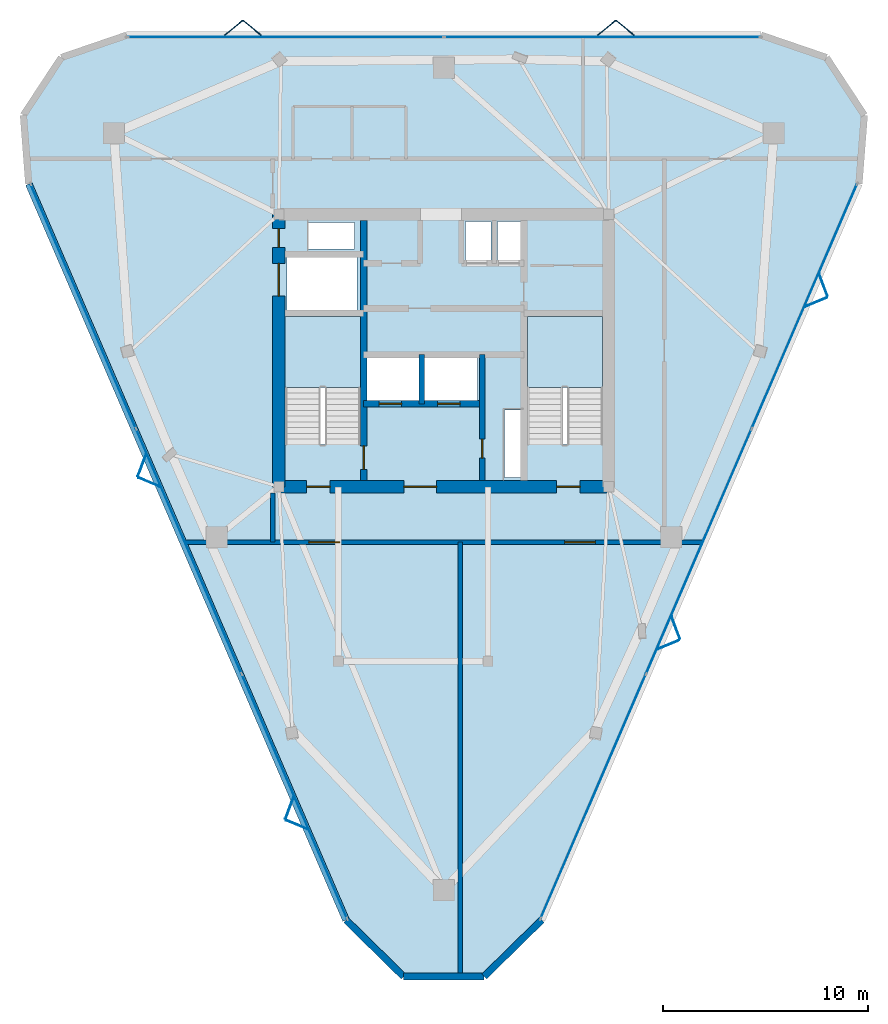
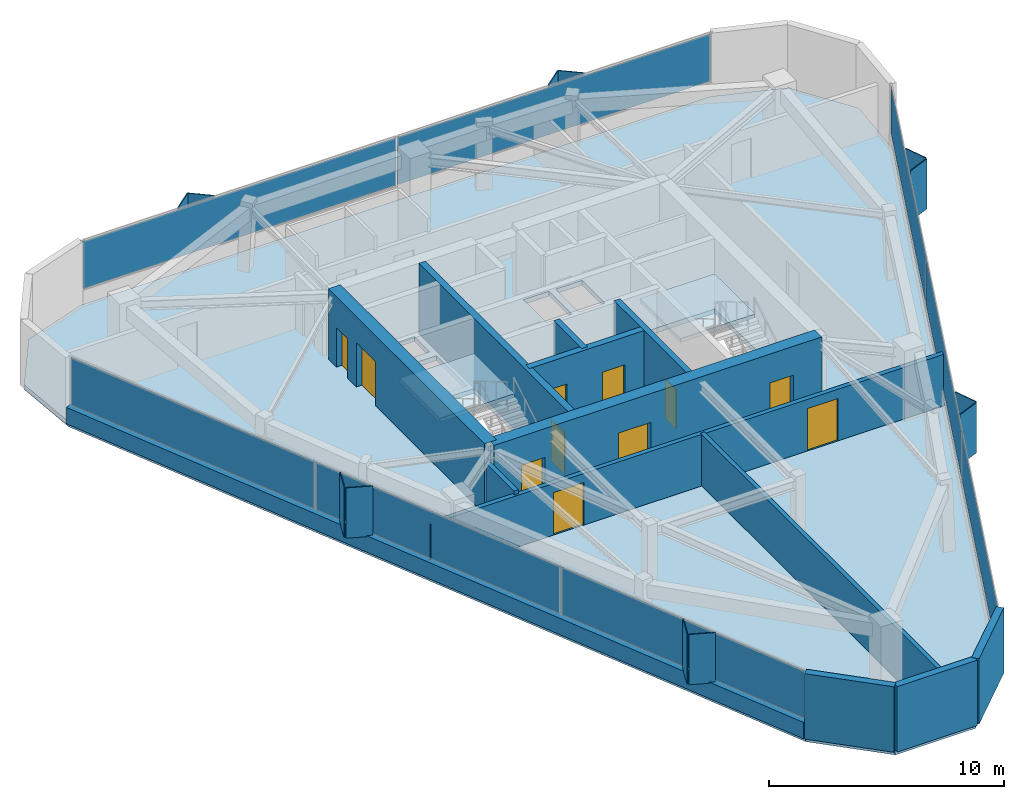
# One storey, part 6 of 9: 20 plates, 13 walls, 11 doors, 3 slabs, 11 openings, 5 elements without a shape of their own.
"""IFC4 building model written with IfcOpenShell, lengths in metres."""

from ifc_helpers import new_model, si_unit, direction, frame, frame_2d, origin, origin_2d, place, context, subcontext, project, spatial, polyline, rectangle, outline, extrude, material, layer, layer_set, type_object, element, fill, aggregate, save


model = new_model("IFC4")

# Units and contexts
model_context = context("Model", 3, precision=1e-05, world=origin(), true_north=direction((0.0, 1.0)))
body_context = subcontext(model_context, "Body", "Model", "MODEL_VIEW")
ifc_project = project(units=[si_unit("LENGTHUNIT", "METRE"), si_unit("AREAUNIT", "SQUARE_METRE"), si_unit("VOLUMEUNIT", "CUBIC_METRE"), si_unit("PLANEANGLEUNIT", "RADIAN"), si_unit("MASSUNIT", "GRAM", prefix="KILO")], contexts=[model_context])

# Site, building, storey
site_placement = place(None, origin())
site = spatial("IfcSite", under=ifc_project, at=site_placement, CompositionType="ELEMENT")
building_placement = place(site_placement, origin())
building = spatial("IfcBuilding", under=site, at=building_placement, Name="Talyreon Biosciences Tower", CompositionType="ELEMENT")
storey_placement = place(building_placement, frame((0.0, 0.0, 305.699951171875)))
storey = spatial("IfcBuildingStorey", under=building, at=storey_placement, Name="L81", CompositionType="ELEMENT", Elevation=305.699951171875)

# Curtain wall, plates
ifc_material_1 = material(Name="Thermally broken aluminium and low-E glazing", Category="aluminium")
ifc_layer_1 = layer(ifc_material_1, 0.175048828125)
ifc_layer_set_1 = layer_set([ifc_layer_1], Name="Thermally broken aluminium and low-E glazing")
curtain_wall_type = type_object("IfcCurtainWallType", Name="CurtainWall_Zone5CompLab", PredefinedType="NOTDEFINED", material=ifc_layer_set_1)
curtain_wall_1_placement = place(storey_placement, origin())
curtain_wall_1 = element("IfcCurtainWall", 1, at=curtain_wall_1_placement, inside=storey, type_object=curtain_wall_type, Name="L81 Unitised Curtain Wall FCW-L81-00", PredefinedType="NOTDEFINED")
ifc_material_2 = material(Name="Triple-silver low-E insulated glazing", Category="glass")
ifc_layer_2 = layer(ifc_material_2, 0.031982421875)
ifc_layer_set_2 = layer_set([ifc_layer_2], Name="Triple-silver low-E insulated glazing")
plate_type_1 = type_object("IfcPlateType", Name="CWGlazingPanel_32", PredefinedType="CURTAIN_PANEL", material=ifc_layer_set_2)
plate_1_placement = place(storey_placement, frame((58.712158203125, 46.241943359375, 0.875), z_axis=(0.0, 0.0, 1.0), x_axis=(-0.395738333444, 0.918363311246, 0.0)))
plate_1 = element("IfcPlate", 2, at=plate_1_placement, type_object=plate_type_1, Name="CW6 panel 1.1", PredefinedType="CURTAIN_PANEL", context=body_context, shape_type="SweptSolid", body=[
    extrude(rectangle(XDim=12.938720703125, YDim=0.031982421875, at=origin_2d()), origin(), (0.0, 0.0, 1.0), 2.4599609375),
])
plate_2_placement = place(storey_placement, frame((53.5595703125, 58.19921875, 0.875), z_axis=(0.0, 0.0, 1.0), x_axis=(-0.395738333444, 0.918363311246, 0.0)))
plate_2 = element("IfcPlate", 3, at=plate_2_placement, type_object=plate_type_1, Name="CW6 panel 2.1", PredefinedType="CURTAIN_PANEL", context=body_context, shape_type="SweptSolid", body=[
    extrude(rectangle(XDim=12.97119140625, YDim=0.031982421875, at=origin_2d()), origin(), (0.0, 0.0, 1.0), 2.4599609375),
])
plate_3_placement = place(storey_placement, frame((48.406982421875, 70.15625, 0.875), z_axis=(0.0, 0.0, 1.0), x_axis=(-0.395738333444, 0.918363311246, 0.0)))
plate_3 = element("IfcPlate", 4, at=plate_3_placement, type_object=plate_type_1, Name="CW6 panel 3.1", PredefinedType="CURTAIN_PANEL", context=body_context, shape_type="SweptSolid", body=[
    extrude(rectangle(XDim=12.938720703125, YDim=0.031982421875, at=origin_2d()), origin(), (0.0, 0.0, 1.0), 2.4599609375),
])
aggregate(curtain_wall_1, [plate_1, plate_2, plate_3])

curtain_wall_2_placement = place(storey_placement, origin())
curtain_wall_2 = element("IfcCurtainWall", 5, at=curtain_wall_2_placement, inside=storey, type_object=curtain_wall_type, Name="L81 Unitised Curtain Wall FCW-L81-04", PredefinedType="NOTDEFINED")
plate_4_placement = place(storey_placement, frame((58.27783203125, 83.303466796875, 0.875), z_axis=(0.0, 0.0, 1.0), x_axis=(1.0, 0.0, 0.0)))
plate_4 = element("IfcPlate", 6, at=plate_4_placement, type_object=plate_type_1, Name="CW6 panel 1.1", PredefinedType="CURTAIN_PANEL", context=body_context, shape_type="SweptSolid", body=[
    extrude(rectangle(XDim=15.37939453125, YDim=0.031982421875, at=origin_2d()), origin(), (0.0, 0.0, 1.0), 2.4599609375),
])
plate_5_placement = place(storey_placement, frame((73.72216796875, 83.303466796875, 0.875), z_axis=(0.0, 0.0, 1.0), x_axis=(1.0, 0.0, 0.0)))
plate_5 = element("IfcPlate", 7, at=plate_5_placement, type_object=plate_type_1, Name="CW6 panel 2.1", PredefinedType="CURTAIN_PANEL", context=body_context, shape_type="SweptSolid", body=[
    extrude(rectangle(XDim=15.37939453125, YDim=0.031982421875, at=origin_2d()), origin(), (0.0, 0.0, 1.0), 2.4599609375),
])
aggregate(curtain_wall_2, [plate_4, plate_5])

curtain_wall_3_placement = place(storey_placement, origin())
curtain_wall_3 = element("IfcCurtainWall", 8, at=curtain_wall_3_placement, inside=storey, type_object=curtain_wall_type, Name="L81 Unitised Curtain Wall FCW-L81-08", PredefinedType="NOTDEFINED")
plate_6_placement = place(storey_placement, frame((83.593017578125, 70.15625, 0.875), z_axis=(0.0, 0.0, 1.0), x_axis=(-0.395738333444, -0.918363311246, 0.0)))
plate_6 = element("IfcPlate", 9, at=plate_6_placement, type_object=plate_type_1, Name="CW6 panel 1.1", PredefinedType="CURTAIN_PANEL", context=body_context, shape_type="SweptSolid", body=[
    extrude(rectangle(XDim=12.938720703125, YDim=0.031982421875, at=origin_2d()), origin(), (0.0, 0.0, 1.0), 2.4599609375),
])
plate_7_placement = place(storey_placement, frame((78.4404296875, 58.19921875, 0.875), z_axis=(0.0, 0.0, 1.0), x_axis=(-0.395738333444, -0.918363311246, 0.0)))
plate_7 = element("IfcPlate", 10, at=plate_7_placement, type_object=plate_type_1, Name="CW6 panel 2.1", PredefinedType="CURTAIN_PANEL", context=body_context, shape_type="SweptSolid", body=[
    extrude(rectangle(XDim=12.97119140625, YDim=0.031982421875, at=origin_2d()), origin(), (0.0, 0.0, 1.0), 2.4599609375),
])
plate_8_placement = place(storey_placement, frame((73.287841796875, 46.241943359375, 0.875), z_axis=(0.0, 0.0, 1.0), x_axis=(-0.395738333444, -0.918363311246, 0.0)))
plate_8 = element("IfcPlate", 11, at=plate_8_placement, type_object=plate_type_1, Name="CW6 panel 3.1", PredefinedType="CURTAIN_PANEL", context=body_context, shape_type="SweptSolid", body=[
    extrude(rectangle(XDim=12.938720703125, YDim=0.031982421875, at=origin_2d()), origin(), (0.0, 0.0, 1.0), 2.4599609375),
])
aggregate(curtain_wall_3, [plate_6, plate_7, plate_8])

# Slab
ifc_material_3 = material(Name="Concrete C40/50", Category="concrete")
ifc_layer_3 = layer(ifc_material_3, 0.25)
ifc_layer_set_3 = layer_set([ifc_layer_3], Name="Concrete C40/50")
slab_type_1 = type_object("IfcSlabType", Name="DryLabFloorSlab_250", PredefinedType="FLOOR", material=ifc_layer_set_3)
slab_1_placement = place(storey_placement, frame((0.0, 0.0, -0.25)))
element("IfcSlab", 12, at=slab_1_placement, inside=storey, type_object=slab_type_1, Name="L81 Structural Floor Slab", PredefinedType="FLOOR", context=body_context, shape_type="SweptSolid", body=[
    extrude(outline(polyline([(61.224609375, 40.20947265625), (45.74755859375, 76.12548828125), (45.48779296875, 79.481689453125), (47.338134765625, 82.2939453125), (50.523193359375, 83.38330078125), (81.476806640625, 83.38330078125), (84.661865234375, 82.2939453125), (86.51220703125, 79.481689453125), (86.25244140625, 76.12548828125), (70.775390625, 40.20947265625), (67.96728515625, 37.45361328125), (64.03271484375, 37.45361328125), (61.224609375, 40.20947265625)]), holes=[polyline([(69.820068359375, 65.10009765625), (69.820068359375, 61.800048828125), (68.9599609375, 61.800048828125), (68.9599609375, 65.10009765625), (69.820068359375, 65.10009765625)]), polyline([(61.929931640625, 69.64990234375), (61.929931640625, 63.407958984375), (58.25, 63.407958984375), (58.25, 69.64990234375), (61.929931640625, 69.64990234375)]), polyline([(73.75, 69.64990234375), (73.75, 63.407958984375), (70.070068359375, 63.407958984375), (70.070068359375, 69.64990234375), (73.75, 69.64990234375)]), polyline([(64.800048828125, 67.64990234375), (64.800048828125, 65.550048828125), (62.199951171875, 65.550048828125), (62.199951171875, 67.64990234375), (64.800048828125, 67.64990234375)]), polyline([(67.64990234375, 67.64990234375), (67.64990234375, 65.550048828125), (65.050048828125, 65.550048828125), (65.050048828125, 67.64990234375), (67.64990234375, 67.64990234375)]), polyline([(61.75, 72.550048828125), (61.75, 69.97998046875), (58.35009765625, 69.97998046875), (58.35009765625, 72.550048828125), (61.75, 72.550048828125)]), polyline([(68.300048828125, 74.300048828125), (68.300048828125, 72.35009765625), (67.050048828125, 72.35009765625), (67.050048828125, 74.300048828125), (68.300048828125, 74.300048828125)]), polyline([(69.919921875, 72.35009765625), (68.6201171875, 72.35009765625), (68.6201171875, 74.300048828125), (69.919921875, 74.300048828125), (69.919921875, 72.35009765625)]), polyline([(61.64990234375, 72.9599609375), (59.39990234375, 72.9599609375), (59.39990234375, 74.25), (61.64990234375, 74.25), (61.64990234375, 72.9599609375)])]), origin(), (0.0, 0.0, 1.0), 0.25),
])

# Plates
ifc_material_4 = material(Name="Ivory GFRC sunshade panel", Category="concrete")
ifc_layer_4 = layer(ifc_material_4, 0.044921875)
ifc_layer_set_4 = layer_set([ifc_layer_4], Name="Ivory GFRC sunshade panel")
plate_type_2 = type_object("IfcPlateType", Name="FoldedVSunshade_NorthFace_SUNSHADE", PredefinedType="USERDEFINED", material=ifc_layer_set_4)
for number, where, z_axis, x_axis, name in (
    (13, (55.7431640625, 83.743408203125, 0.7900390625), (0.0, 0.0, 1.0), (0.771624583388, 0.636078220278, 0.0), "L81 Folded V-Sunshade Panel 04.01L"),
    (14, (56.64306640625, 83.743408203125, 0.7900390625), (0.0, 0.0, 1.0), (0.771624583388, -0.636078220278, 0.0), "L81 Folded V-Sunshade Panel 04.01R"),
    (15, (73.943115234375, 83.743408203125, 0.7900390625), (0.0, 0.0, 1.0), (0.771624583388, 0.636078220278, 0.0), "L81 Folded V-Sunshade Panel 04.02L"),
    (16, (74.843017578125, 83.743408203125, 0.7900390625), (0.0, 0.0, 1.0), (0.771624583388, -0.636078220278, 0.0), "L81 Folded V-Sunshade Panel 04.02R"),
):
    element("IfcPlate", number, at=place(storey_placement, frame(where, z_axis=z_axis, x_axis=x_axis)), inside=storey, type_object=plate_type_2, Name=name, ObjectType="SUNSHADE", PredefinedType="USERDEFINED", context=body_context, shape_type="SweptSolid", body=[
        extrude(rectangle(XDim=1.14990234375, YDim=0.044921875, at=origin_2d()), origin(), (0.0, 0.0, 1.0), 2.610107421875),
    ])
ifc_layer_5 = layer(ifc_material_4, 0.044921875)
ifc_layer_set_5 = layer_set([ifc_layer_5], Name="Ivory GFRC sunshade panel")
plate_type_3 = type_object("IfcPlateType", Name="FoldedVSunshade_SunFace_SUNSHADE", PredefinedType="USERDEFINED", material=ifc_layer_set_5)
for number, where, z_axis, x_axis, name in (
    (17, (58.828125, 44.86083984375, 0.7900390625), (0.0, 0.0, 1.0), (-0.922618893195, 0.385712817936, 0.0), "L81 Folded V-Sunshade Panel 00.01L"),
    (18, (58.471923828125, 45.687255859375, 0.7900390625), (0.0, 0.0, 1.0), (0.353278917088, 0.935518041911, 0.0), "L81 Folded V-Sunshade Panel 00.01R"),
    (19, (51.625732421875, 61.574951171875, 0.7900390625), (0.0, 0.0, 1.0), (-0.922618893195, 0.385712817936, 0.0), "L81 Folded V-Sunshade Panel 00.02L"),
    (20, (51.26953125, 62.401611328125, 0.7900390625), (0.0, 0.0, 1.0), (0.353278917088, 0.935518041911, 0.0), "L81 Folded V-Sunshade Panel 00.02R"),
    (21, (84.517333984375, 71.189208984375, 0.7900390625), (0.0, 0.0, 1.0), (0.353278917088, -0.935518041911, 0.0), "L81 Folded V-Sunshade Panel 08.01L"),
    (22, (84.1611328125, 70.36279296875, 0.7900390625), (0.0, 0.0, 1.0), (-0.922618893195, -0.385712817936, 0.0), "L81 Folded V-Sunshade Panel 08.01R"),
    (23, (77.314697265625, 54.47509765625, 0.7900390625), (0.0, 0.0, 1.0), (0.353278917088, -0.935518041911, 0.0), "L81 Folded V-Sunshade Panel 08.02L"),
    (24, (76.958740234375, 53.6484375, 0.7900390625), (0.0, 0.0, 1.0), (-0.922618893195, -0.385712817936, 0.0), "L81 Folded V-Sunshade Panel 08.02R"),
):
    element("IfcPlate", number, at=place(storey_placement, frame(where, z_axis=z_axis, x_axis=x_axis)), inside=storey, type_object=plate_type_3, Name=name, ObjectType="SUNSHADE", PredefinedType="USERDEFINED", context=body_context, shape_type="SweptSolid", body=[
        extrude(rectangle(XDim=1.14990234375, YDim=0.044921875, at=origin_2d()), origin(), (0.0, 0.0, 1.0), 2.610107421875),
    ])

# Stair, slab
stair_type = type_object("IfcStairType", Name="DoglegEscapeStair_3650", PredefinedType="HALF_TURN_STAIR", material=ifc_material_3)
stair_1_placement = place(storey_placement, origin())
stair_1 = element("IfcStair", 25, at=stair_1_placement, inside=storey, type_object=stair_type, Name="L81 Core Escape Stair 1", PredefinedType="HALF_TURN_STAIR")
ifc_layer_6 = layer(ifc_material_3, 0.199951171875)
ifc_layer_set_6 = layer_set([ifc_layer_6], Name="Concrete C40/50")
slab_type_2 = type_object("IfcSlabType", Name="StairLandingSlab_200", PredefinedType="LANDING", material=ifc_layer_set_6)
slab_2_placement = place(storey_placement, frame((0.0, 0.0, 1.625)))
slab_2 = element("IfcSlab", 26, at=slab_2_placement, type_object=slab_type_2, Name="ST-1 landing 1", PredefinedType="LANDING", context=body_context, shape_type="SweptSolid", body=[
    extrude(outline(polyline([(61.929931640625, 66.199951171875), (61.929931640625, 69.64990234375), (58.25, 69.64990234375), (58.25, 66.199951171875), (61.929931640625, 66.199951171875)])), origin(), (0.0, 0.0, 1.0), 0.199951171875),
])
aggregate(stair_1, [slab_2])

stair_2_placement = place(storey_placement, origin())
stair_2 = element("IfcStair", 27, at=stair_2_placement, inside=storey, type_object=stair_type, Name="L81 Core Escape Stair 2", PredefinedType="HALF_TURN_STAIR")
slab_3_placement = place(storey_placement, frame((0.0, 0.0, 1.625)))
slab_3 = element("IfcSlab", 28, at=slab_3_placement, type_object=slab_type_2, Name="ST-2 landing 1", PredefinedType="LANDING", context=body_context, shape_type="SweptSolid", body=[
    extrude(outline(polyline([(73.75, 66.199951171875), (73.75, 69.64990234375), (70.070068359375, 69.64990234375), (70.070068359375, 66.199951171875), (73.75, 66.199951171875)])), origin(), (0.0, 0.0, 1.0), 0.199951171875),
])
aggregate(stair_2, [slab_3])

# Walls
ifc_material_5 = material(Name="Gypsum fireboard acoustic stud", Category="gypsum")
ifc_layer_7 = layer(ifc_material_5, 0.199951171875)
ifc_layer_set_7 = layer_set([ifc_layer_7], Name="Gypsum fireboard acoustic stud")
wall_type_1 = type_object("IfcWallType", Name="ChemControlPartition_200", PredefinedType="PARTITIONING", material=ifc_layer_set_7)
wall_1_placement = place(storey_placement, frame((66.800048828125, 37.538818359375, 0.0), z_axis=(0.0, 0.0, 1.0), x_axis=(0.0, 1.0, 0.0)))
element("IfcWall", 29, at=wall_1_placement, inside=storey, type_object=wall_type_1, Name="L81 Interior Wall IW-L81-SDIV1", PredefinedType="PARTITIONING", context=body_context, shape_type="SweptSolid", body=[
    extrude(rectangle(XDim=21.111083984375, YDim=0.199951171875, at=frame_2d((10.5556640625, 0.0))), origin(), (0.0, 0.0, 1.0), 2.679931640625),
])
ifc_material_6 = material(Name="Concrete C50/60", Category="concrete")
ifc_layer_8 = layer(ifc_material_6, 0.280029296875)
ifc_layer_set_8 = layer_set([ifc_layer_8], Name="Concrete C50/60")
wall_type_2 = type_object("IfcWallType", Name="CoreShearWall_280", PredefinedType="SHEAR", material=ifc_layer_set_8)
wall_2_placement = place(storey_placement, frame((64.919921875, 65.39990234375, 0.0), z_axis=(0.0, 0.0, 1.0), x_axis=(0.0, 1.0, 0.0)))
element("IfcWall", 30, at=wall_2_placement, inside=storey, type_object=wall_type_2, Name="L81 Core Shaft Wall SWSHD1", PredefinedType="SHEAR", context=body_context, shape_type="SweptSolid", body=[
    extrude(rectangle(XDim=2.400146484375, YDim=0.280029296875, at=frame_2d((1.2001953125, 0.0))), origin(), (0.0, 0.0, 1.0), 3.650146484375),
])

# Wall, opening, door
wall_3_placement = place(storey_placement, frame((67.8798828125, 61.64990234375, 0.0), z_axis=(0.0, 0.0, 1.0), x_axis=(0.0, 1.0, 0.0)))
wall_3 = element("IfcWall", 31, at=wall_3_placement, inside=storey, type_object=wall_type_2, Name="L81 Core Shaft Wall SWFFE", PredefinedType="SHEAR", context=body_context, shape_type="SweptSolid", body=[
    extrude(rectangle(XDim=6.150146484375, YDim=0.280029296875, at=frame_2d((3.0751953125, 0.0))), origin(), (0.0, 0.0, 1.0), 3.650146484375),
])
opening_1_placement = place(wall_3_placement, frame((1.10009765625, 0.0, 0.0)))
opening_1 = element("IfcOpeningElement", 32, at=opening_1_placement, cuts=wall_3, Name="Opening DR-L81-RSE", PredefinedType="OPENING", context=body_context, shape_type="SweptSolid", body=[
    extrude(rectangle(XDim=0.919921875, YDim=2.050048828125, at=frame_2d((0.4599609375, 1.02490234375))), frame((0.0, 0.14990234375, 0.0), z_axis=(0.0, -1.0, 0.0), x_axis=(1.0, 0.0, 0.0)), (0.0, 0.0, 1.0), 0.300048828125),
])
ifc_material_7 = material(Name="Painted steel fire-rated riser door", Category="steel")
door_type_1 = type_object("IfcDoorType", Name="RiserPlantAccessDoor_920x2050", OperationType="NOTDEFINED", PredefinedType="DOOR", material=ifc_material_7)
door_1_placement = place(opening_1_placement, origin())
door_1 = element("IfcDoor", 33, at=door_1_placement, inside=storey, type_object=door_type_1, Name="L81 Core Door DR-L81-RSE", OperationType="SINGLE_SWING_RIGHT", OverallHeight=2.050048828125, OverallWidth=0.919921875, PredefinedType="DOOR", context=body_context, shape_type="SweptSolid", body=[
    extrude(rectangle(XDim=0.919921875, YDim=2.050048828125, at=frame_2d((0.4599609375, 1.02490234375))), frame((0.0, 0.02490234375, 0.0), z_axis=(0.0, -1.0, 0.0), x_axis=(1.0, 0.0, 0.0)), (0.0, 0.0, 1.0), 0.050048828125),
])
fill(opening_1, door_1)

ifc_layer_9 = layer(ifc_material_6, 0.320068359375)
ifc_layer_set_9 = layer_set([ifc_layer_9], Name="Concrete C50/60")
wall_type_3 = type_object("IfcWallType", Name="CoreShearWall_320", PredefinedType="SHEAR", material=ifc_layer_set_9)
wall_4_placement = place(storey_placement, frame((62.090087890625, 61.64990234375, 0.0), z_axis=(0.0, 0.0, 1.0), x_axis=(0.0, 1.0, 0.0)))
wall_4 = element("IfcWall", 34, at=wall_4_placement, inside=storey, type_object=wall_type_3, Name="L81 Core Shaft Wall SW1E", PredefinedType="SHEAR", context=body_context, shape_type="SweptSolid", body=[
    extrude(rectangle(XDim=12.7001953125, YDim=0.320068359375, at=frame_2d((6.35009765625, 0.0))), origin(), (0.0, 0.0, 1.0), 3.650146484375),
])
opening_2_placement = place(wall_4_placement, frame((0.550048828125, 0.0, 0.0)))
opening_2 = element("IfcOpeningElement", 35, at=opening_2_placement, cuts=wall_4, Name="Opening DR-L81-FF-ST1", PredefinedType="OPENING", context=body_context, shape_type="SweptSolid", body=[
    extrude(rectangle(XDim=1.14990234375, YDim=2.14990234375, at=frame_2d((0.574951171875, 1.074951171875))), frame((0.0, 0.169921875, 0.0), z_axis=(0.0, -1.0, 0.0), x_axis=(1.0, 0.0, 0.0)), (0.0, 0.0, 1.0), 0.340087890625),
])
ifc_material_8 = material(Name="Painted steel fire door", Category="steel")
door_type_2 = type_object("IfcDoorType", Name="StairShaftFireDoor_1150x2150", OperationType="NOTDEFINED", PredefinedType="DOOR", material=ifc_material_8)
door_2_placement = place(opening_2_placement, origin())
door_2 = element("IfcDoor", 36, at=door_2_placement, inside=storey, type_object=door_type_2, Name="L81 Core Door DR-L81-FF-ST1", OperationType="SINGLE_SWING_LEFT", OverallHeight=2.14990234375, OverallWidth=1.14990234375, PredefinedType="DOOR", context=body_context, shape_type="SweptSolid", body=[
    extrude(rectangle(XDim=1.14990234375, YDim=2.14990234375, at=frame_2d((0.574951171875, 1.074951171875))), frame((0.0, 0.02490234375, 0.0), z_axis=(0.0, -1.0, 0.0), x_axis=(1.0, 0.0, 0.0)), (0.0, 0.0, 1.0), 0.050048828125),
])
fill(opening_2, door_2)

# Wall, openings, doors
wall_5_placement = place(storey_placement, frame((62.090087890625, 65.39990234375, 0.0), z_axis=(0.0, 0.0, 1.0), x_axis=(1.0, 0.0, 0.0)))
wall_5 = element("IfcWall", 37, at=wall_5_placement, inside=storey, type_object=wall_type_3, Name="L81 Core Shaft Wall SWFFN", PredefinedType="SHEAR", context=body_context, shape_type="SweptSolid", body=[
    extrude(rectangle(XDim=5.789794921875, YDim=0.320068359375, at=frame_2d((2.89501953125, 0.0))), origin(), (0.0, 0.0, 1.0), 3.650146484375),
])
opening_3_placement = place(wall_5_placement, frame((0.75, 0.0, 0.0)))
opening_3 = element("IfcOpeningElement", 38, at=opening_3_placement, cuts=wall_5, Name="Opening LD-L81-FL1", PredefinedType="OPENING", context=body_context, shape_type="SweptSolid", body=[
    extrude(rectangle(XDim=1.10009765625, YDim=2.199951171875, at=frame_2d((0.550048828125, 1.10009765625))), frame((0.0, 0.169921875, 0.0), z_axis=(0.0, -1.0, 0.0), x_axis=(1.0, 0.0, 0.0)), (0.0, 0.0, 1.0), 0.340087890625),
])
opening_4_placement = place(wall_5_placement, frame((3.60009765625, 0.0, 0.0)))
opening_4 = element("IfcOpeningElement", 39, at=opening_4_placement, cuts=wall_5, Name="Opening LD-L81-FL2", PredefinedType="OPENING", context=body_context, shape_type="SweptSolid", body=[
    extrude(rectangle(XDim=1.10009765625, YDim=2.199951171875, at=frame_2d((0.550048828125, 1.10009765625))), frame((0.0, 0.169921875, 0.0), z_axis=(0.0, -1.0, 0.0), x_axis=(1.0, 0.0, 0.0)), (0.0, 0.0, 1.0), 0.340087890625),
])
ifc_material_9 = material(Name="Brushed stainless-steel lift landing door", Category="steel")
door_type_3 = type_object("IfcDoorType", Name="LiftSlidingLandingDoor_1100x2200", OperationType="SLIDING_TO_LEFT", PredefinedType="DOOR", material=ifc_material_9)
door_3_placement = place(opening_3_placement, origin())
door_3 = element("IfcDoor", 40, at=door_3_placement, inside=storey, type_object=door_type_3, Name="L81 Core Door LD-L81-FL1", OperationType="SLIDING_TO_LEFT", OverallHeight=2.199951171875, OverallWidth=1.10009765625, PredefinedType="DOOR", context=body_context, shape_type="SweptSolid", body=[
    extrude(rectangle(XDim=1.10009765625, YDim=2.199951171875, at=frame_2d((0.550048828125, 1.10009765625))), frame((0.0, 0.02490234375, 0.0), z_axis=(0.0, -1.0, 0.0), x_axis=(1.0, 0.0, 0.0)), (0.0, 0.0, 1.0), 0.050048828125),
])
fill(opening_3, door_3)
door_4_placement = place(opening_4_placement, origin())
door_4 = element("IfcDoor", 41, at=door_4_placement, inside=storey, type_object=door_type_3, Name="L81 Core Door LD-L81-FL2", OperationType="SLIDING_TO_LEFT", OverallHeight=2.199951171875, OverallWidth=1.10009765625, PredefinedType="DOOR", context=body_context, shape_type="SweptSolid", body=[
    extrude(rectangle(XDim=1.10009765625, YDim=2.199951171875, at=frame_2d((0.550048828125, 1.10009765625))), frame((0.0, 0.02490234375, 0.0), z_axis=(0.0, -1.0, 0.0), x_axis=(1.0, 0.0, 0.0)), (0.0, 0.0, 1.0), 0.050048828125),
])
fill(opening_4, door_4)

ifc_layer_10 = layer(ifc_material_6, 0.60009765625)
ifc_layer_set_10 = layer_set([ifc_layer_10], Name="Concrete C50/60")
wall_type_4 = type_object("IfcWallType", Name="CoreShearWall_600", PredefinedType="SHEAR", material=ifc_layer_set_10)
wall_6_placement = place(storey_placement, frame((57.949951171875, 61.35009765625, 0.0), z_axis=(0.0, 0.0, 1.0), x_axis=(1.0, 0.0, 0.0)))
wall_6 = element("IfcWall", 42, at=wall_6_placement, inside=storey, type_object=wall_type_4, Name="L81 Core Shear Wall S", PredefinedType="SHEAR", context=body_context, shape_type="SweptSolid", body=[
    extrude(rectangle(XDim=16.10009765625, YDim=0.60009765625, at=frame_2d((8.050048828125, 0.0))), origin(), (0.0, 0.0, 1.0), 3.650146484375),
])
opening_5_placement = place(wall_6_placement, frame((1.35009765625, 0.0, 0.0)))
opening_5 = element("IfcOpeningElement", 43, at=opening_5_placement, cuts=wall_6, Name="Opening DR-L81-ST1", PredefinedType="OPENING", context=body_context, shape_type="SweptSolid", body=[
    extrude(rectangle(XDim=1.14990234375, YDim=2.14990234375, at=frame_2d((0.574951171875, 1.074951171875))), frame((0.0, 0.31005859375, 0.0), z_axis=(0.0, -1.0, 0.0), x_axis=(1.0, 0.0, 0.0)), (0.0, 0.0, 1.0), 0.6201171875),
])
opening_6_placement = place(wall_6_placement, frame((6.10009765625, 0.0, 0.0)))
opening_6 = element("IfcOpeningElement", 44, at=opening_6_placement, cuts=wall_6, Name="Opening DR-L81-FFL", PredefinedType="OPENING", context=body_context, shape_type="SweptSolid", body=[
    extrude(rectangle(XDim=1.60009765625, YDim=2.14990234375, at=frame_2d((0.800048828125, 1.074951171875))), frame((0.0, 0.31005859375, 0.0), z_axis=(0.0, -1.0, 0.0), x_axis=(1.0, 0.0, 0.0)), (0.0, 0.0, 1.0), 0.6201171875),
])
opening_7_placement = place(wall_6_placement, frame((13.550048828125, 0.0, 0.0)))
opening_7 = element("IfcOpeningElement", 45, at=opening_7_placement, cuts=wall_6, Name="Opening DR-L81-ST2", PredefinedType="OPENING", context=body_context, shape_type="SweptSolid", body=[
    extrude(rectangle(XDim=1.14990234375, YDim=2.14990234375, at=frame_2d((0.574951171875, 1.074951171875))), frame((0.0, 0.31005859375, 0.0), z_axis=(0.0, -1.0, 0.0), x_axis=(1.0, 0.0, 0.0)), (0.0, 0.0, 1.0), 0.6201171875),
])
ifc_material_10 = material(Name="Painted steel smoke-seal fire door", Category="steel")
door_type_4 = type_object("IfcDoorType", Name="FirefightingLobbyDoubleDoor_1600x2150", OperationType="DOUBLE_DOOR_SINGLE_SWING", PredefinedType="DOOR", material=ifc_material_10)
door_5_placement = place(opening_6_placement, origin())
door_5 = element("IfcDoor", 46, at=door_5_placement, inside=storey, type_object=door_type_4, Name="L81 Core Door DR-L81-FFL", OperationType="DOUBLE_DOOR_SINGLE_SWING", OverallHeight=2.14990234375, OverallWidth=1.60009765625, PredefinedType="DOOR", context=body_context, shape_type="SweptSolid", body=[
    extrude(rectangle(XDim=1.60009765625, YDim=2.14990234375, at=frame_2d((0.800048828125, 1.074951171875))), frame((0.0, 0.02490234375, 0.0), z_axis=(0.0, -1.0, 0.0), x_axis=(1.0, 0.0, 0.0)), (0.0, 0.0, 1.0), 0.050048828125),
])
fill(opening_6, door_5)
door_6_placement = place(opening_5_placement, origin())
door_6 = element("IfcDoor", 47, at=door_6_placement, inside=storey, type_object=door_type_2, Name="L81 Core Door DR-L81-ST1", OperationType="SINGLE_SWING_LEFT", OverallHeight=2.14990234375, OverallWidth=1.14990234375, PredefinedType="DOOR", context=body_context, shape_type="SweptSolid", body=[
    extrude(rectangle(XDim=1.14990234375, YDim=2.14990234375, at=frame_2d((0.574951171875, 1.074951171875))), frame((0.0, 0.02490234375, 0.0), z_axis=(0.0, -1.0, 0.0), x_axis=(1.0, 0.0, 0.0)), (0.0, 0.0, 1.0), 0.050048828125),
])
fill(opening_5, door_6)
door_7_placement = place(opening_7_placement, origin())
door_7 = element("IfcDoor", 48, at=door_7_placement, inside=storey, type_object=door_type_2, Name="L81 Core Door DR-L81-ST2", OperationType="SINGLE_SWING_RIGHT", OverallHeight=2.14990234375, OverallWidth=1.14990234375, PredefinedType="DOOR", context=body_context, shape_type="SweptSolid", body=[
    extrude(rectangle(XDim=1.14990234375, YDim=2.14990234375, at=frame_2d((0.574951171875, 1.074951171875))), frame((0.0, 0.02490234375, 0.0), z_axis=(0.0, -1.0, 0.0), x_axis=(1.0, 0.0, 0.0)), (0.0, 0.0, 1.0), 0.050048828125),
])
fill(opening_7, door_7)

wall_7_placement = place(storey_placement, frame((57.949951171875, 74.64990234375, 0.0), z_axis=(0.0, 0.0, 1.0), x_axis=(0.0, -1.0, 0.0)))
wall_7 = element("IfcWall", 49, at=wall_7_placement, inside=storey, type_object=wall_type_4, Name="L81 Core Shear Wall W", PredefinedType="SHEAR", context=body_context, shape_type="SweptSolid", body=[
    extrude(rectangle(XDim=13.2998046875, YDim=0.60009765625, at=frame_2d((6.64990234375, 0.0))), origin(), (0.0, 0.0, 1.0), 3.650146484375),
])
opening_8_placement = place(wall_7_placement, frame((0.699951171875, 0.0, 0.0)))
opening_8 = element("IfcOpeningElement", 50, at=opening_8_placement, cuts=wall_7, Name="Opening DR-L81-RSW", PredefinedType="OPENING", context=body_context, shape_type="SweptSolid", body=[
    extrude(rectangle(XDim=0.919921875, YDim=2.050048828125, at=frame_2d((0.4599609375, 1.02490234375))), frame((0.0, 0.31005859375, 0.0), z_axis=(0.0, -1.0, 0.0), x_axis=(1.0, 0.0, 0.0)), (0.0, 0.0, 1.0), 0.6201171875),
])
opening_9_placement = place(wall_7_placement, frame((2.39990234375, 0.0, 0.0)))
opening_9 = element("IfcOpeningElement", 51, at=opening_9_placement, cuts=wall_7, Name="Opening LD-L81-GL1", PredefinedType="OPENING", context=body_context, shape_type="SweptSolid", body=[
    extrude(rectangle(XDim=1.60009765625, YDim=2.300048828125, at=frame_2d((0.800048828125, 1.14990234375))), frame((0.0, 0.31005859375, 0.0), z_axis=(0.0, -1.0, 0.0), x_axis=(1.0, 0.0, 0.0)), (0.0, 0.0, 1.0), 0.6201171875),
])
ifc_material_11 = material(Name="Heavy-duty stainless-steel goods lift door", Category="steel")
door_type_5 = type_object("IfcDoorType", Name="GoodsLiftSlidingDoor_1600x2300", OperationType="DOUBLE_DOOR_SLIDING", PredefinedType="DOOR", material=ifc_material_11)
door_8_placement = place(opening_9_placement, origin())
door_8 = element("IfcDoor", 52, at=door_8_placement, inside=storey, type_object=door_type_5, Name="L81 Core Door LD-L81-GL1", OperationType="DOUBLE_DOOR_SLIDING", OverallHeight=2.300048828125, OverallWidth=1.60009765625, PredefinedType="DOOR", context=body_context, shape_type="SweptSolid", body=[
    extrude(rectangle(XDim=1.60009765625, YDim=2.300048828125, at=frame_2d((0.800048828125, 1.14990234375))), frame((0.0, 0.02490234375, 0.0), z_axis=(0.0, -1.0, 0.0), x_axis=(1.0, 0.0, 0.0)), (0.0, 0.0, 1.0), 0.050048828125),
])
fill(opening_9, door_8)
door_9_placement = place(opening_8_placement, origin())
door_9 = element("IfcDoor", 53, at=door_9_placement, inside=storey, type_object=door_type_1, Name="L81 Core Door DR-L81-RSW", OperationType="SINGLE_SWING_LEFT", OverallHeight=2.050048828125, OverallWidth=0.919921875, PredefinedType="DOOR", context=body_context, shape_type="SweptSolid", body=[
    extrude(rectangle(XDim=0.919921875, YDim=2.050048828125, at=frame_2d((0.4599609375, 1.02490234375))), frame((0.0, 0.02490234375, 0.0), z_axis=(0.0, -1.0, 0.0), x_axis=(1.0, 0.0, 0.0)), (0.0, 0.0, 1.0), 0.050048828125),
])
fill(opening_8, door_9)

ifc_layer_11 = layer(ifc_material_5, 0.219970703125)
ifc_layer_set_11 = layer_set([ifc_layer_11], Name="Gypsum fireboard acoustic stud")
wall_type_5 = type_object("IfcWallType", Name="CorridorRatedPartition_220", PredefinedType="PARTITIONING", material=ifc_layer_set_11)
wall_8_placement = place(storey_placement, frame((53.37060546875, 58.64990234375, 0.0), z_axis=(0.0, 0.0, 1.0), x_axis=(1.0, 0.0, 0.0)))
wall_8 = element("IfcWall", 54, at=wall_8_placement, inside=storey, type_object=wall_type_5, Name="L81 Interior Wall IW-L81-COR-S", PredefinedType="PARTITIONING", context=body_context, shape_type="SweptSolid", body=[
    extrude(rectangle(XDim=25.2587890625, YDim=0.219970703125, at=frame_2d((12.62939453125, 0.0))), origin(), (0.0, 0.0, 1.0), 2.679931640625),
])
opening_10_placement = place(wall_8_placement, frame((6.0400390625, 0.0, 0.0)))
opening_10 = element("IfcOpeningElement", 55, at=opening_10_placement, cuts=wall_8, Name="Opening DR-L81-S1A", PredefinedType="OPENING", context=body_context, shape_type="SweptSolid", body=[
    extrude(rectangle(XDim=1.5, YDim=2.199951171875, at=frame_2d((0.75, 1.10009765625))), frame((0.0, 0.119873046875, 0.0), z_axis=(0.0, -1.0, 0.0), x_axis=(1.0, 0.0, 0.0)), (0.0, 0.0, 1.0), 0.239990234375),
])
opening_11_placement = place(wall_8_placement, frame((18.51904296875, 0.0, 0.0)))
opening_11 = element("IfcOpeningElement", 56, at=opening_11_placement, cuts=wall_8, Name="Opening DR-L81-S2A", PredefinedType="OPENING", context=body_context, shape_type="SweptSolid", body=[
    extrude(rectangle(XDim=1.5, YDim=2.199951171875, at=frame_2d((0.75, 1.10009765625))), frame((0.0, 0.119873046875, 0.0), z_axis=(0.0, -1.0, 0.0), x_axis=(1.0, 0.0, 0.0)), (0.0, 0.0, 1.0), 0.239990234375),
])
ifc_material_12 = material(Name="Vision-panel steel laboratory fire door", Category="steel")
door_type_6 = type_object("IfcDoorType", Name="WetLabDoubleLeafDoor_1500x2200", OperationType="DOUBLE_DOOR_SINGLE_SWING", PredefinedType="DOOR", material=ifc_material_12)
door_10_placement = place(opening_10_placement, origin())
door_10 = element("IfcDoor", 57, at=door_10_placement, inside=storey, type_object=door_type_6, Name="L81 Interior Door DR-L81-S1A", OperationType="DOUBLE_DOOR_SINGLE_SWING", OverallHeight=2.199951171875, OverallWidth=1.5, PredefinedType="DOOR", context=body_context, shape_type="SweptSolid", body=[
    extrude(rectangle(XDim=1.5, YDim=2.199951171875, at=frame_2d((0.75, 1.10009765625))), frame((0.0, 0.02490234375, 0.0), z_axis=(0.0, -1.0, 0.0), x_axis=(1.0, 0.0, 0.0)), (0.0, 0.0, 1.0), 0.050048828125),
])
fill(opening_10, door_10)
door_11_placement = place(opening_11_placement, origin())
door_11 = element("IfcDoor", 58, at=door_11_placement, inside=storey, type_object=door_type_6, Name="L81 Interior Door DR-L81-S2A", OperationType="DOUBLE_DOOR_SINGLE_SWING", OverallHeight=2.199951171875, OverallWidth=1.5, PredefinedType="DOOR", context=body_context, shape_type="SweptSolid", body=[
    extrude(rectangle(XDim=1.5, YDim=2.199951171875, at=frame_2d((0.75, 1.10009765625))), frame((0.0, 0.02490234375, 0.0), z_axis=(0.0, -1.0, 0.0), x_axis=(1.0, 0.0, 0.0)), (0.0, 0.0, 1.0), 0.050048828125),
])
fill(opening_11, door_11)

# Walls
wall_9_placement = place(storey_placement, frame((57.64990234375, 58.64990234375, 0.0), z_axis=(0.0, 0.0, 1.0), x_axis=(0.0, 1.0, 0.0)))
element("IfcWall", 59, at=wall_9_placement, inside=storey, type_object=wall_type_5, Name="L81 Interior Wall IW-L81-WCAP-S", PredefinedType="PARTITIONING", context=body_context, shape_type="SweptSolid", body=[
    extrude(rectangle(XDim=2.400146484375, YDim=0.219970703125, at=frame_2d((1.2001953125, 0.0))), origin(), (0.0, 0.0, 1.0), 2.880126953125),
])
ifc_material_13 = material(Name="Precast concrete C45/55", Category="concrete")
ifc_layer_12 = layer(ifc_material_13, 0.340087890625)
ifc_layer_set_12 = layer_set([ifc_layer_12], Name="Precast concrete C45/55")
wall_type_6 = type_object("IfcWallType", Name="PrecastConcreteSpandrelWall_340", PredefinedType="STANDARD", material=ifc_layer_set_12)
wall_10_placement = place(storey_placement, frame((61.224609375, 40.20947265625, 0.0), z_axis=(0.0, 0.0, 1.0), x_axis=(-0.395743298443, 0.918361171728, 0.0)))
element("IfcWall", 60, at=wall_10_placement, inside=storey, type_object=wall_type_6, Name="L81 Expressed Concrete Sill Wall 00", PredefinedType="STANDARD", context=body_context, shape_type="SweptSolid", body=[
    extrude(rectangle(XDim=39.10888671875, YDim=0.340087890625, at=frame_2d((19.554443359375, 0.0))), origin(), (0.0, 0.0, 1.0), 0.85009765625),
])
for number, where, z_axis, x_axis, name in (
    (61, (70.775390625, 40.20947265625, 0.0), (0.0, 0.0, 1.0), (-0.713715108068, -0.700436110231, 0.0), "L81 Rounded-Corner Concrete Pier 09"),
    (62, (67.96728515625, 37.45361328125, 0.0), (0.0, 0.0, 1.0), (-1.0, 0.0, 0.0), "L81 Rounded-Corner Concrete Pier 10"),
    (63, (64.03271484375, 37.45361328125, 0.0), (0.0, 0.0, 1.0), (-0.713715108068, 0.700436110231, 0.0), "L81 Rounded-Corner Concrete Pier 11"),
):
    element("IfcWall", number, at=place(storey_placement, frame(where, z_axis=z_axis, x_axis=x_axis)), inside=storey, type_object=wall_type_6, Name=name, PredefinedType="STANDARD", context=body_context, shape_type="SweptSolid", body=[
        extrude(rectangle(XDim=3.9345703125, YDim=0.340087890625, at=frame_2d((1.96728515625, 0.0))), origin(), (0.0, 0.0, 1.0), 3.400146484375),
    ])

save(model, "model.ifc")
